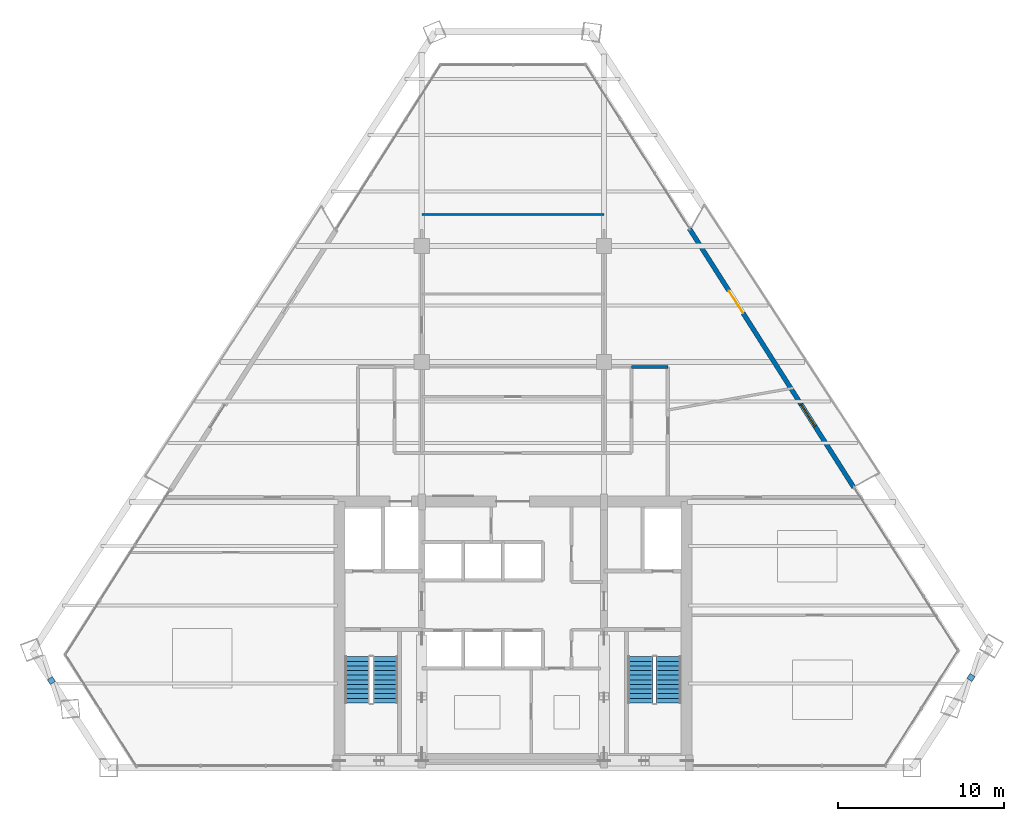
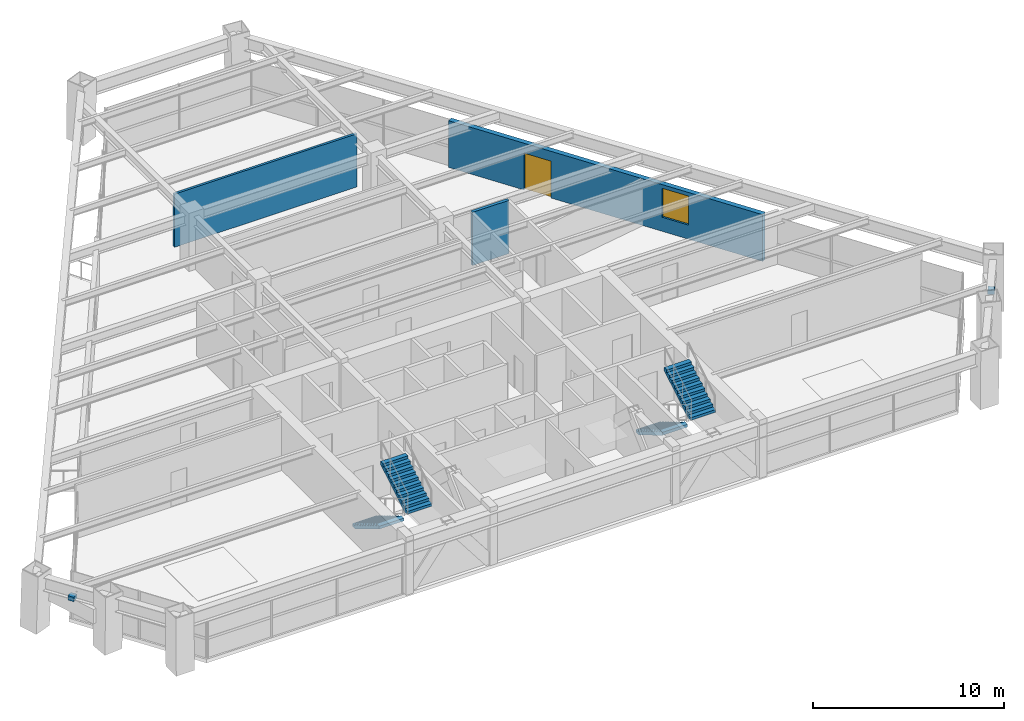
# One storey, part 13 of 15: 4 stair flights, 3 walls, 2 discrete accessories, 1 door, 1 window, 2 openings, 2 elements without a shape of their own.
"""IFC4 building model written with IfcOpenShell, lengths in metres."""

from ifc_helpers import new_model, si_unit, direction, frame, frame_2d, origin, origin_2d, place, context, subcontext, project, spatial, polyline, rectangle, outline, extrude, source, transform, mapped, material, layer, layer_set, type_object, type_shapes, element, fill, aggregate, save


model = new_model("IFC4")

# Units and contexts
model_context = context("Model", 3, precision=1e-05, world=origin(), true_north=direction((0.0, 1.0)))
body_context = subcontext(model_context, "Body", "Model", "MODEL_VIEW")
ifc_project = project(units=[si_unit("LENGTHUNIT", "METRE"), si_unit("AREAUNIT", "SQUARE_METRE"), si_unit("VOLUMEUNIT", "CUBIC_METRE"), si_unit("PLANEANGLEUNIT", "RADIAN"), si_unit("MASSUNIT", "GRAM", prefix="KILO")], contexts=[model_context])

# Site, building, storey
site_placement = place(None, origin())
site = spatial("IfcSite", under=ifc_project, at=site_placement, CompositionType="ELEMENT")
building_placement = place(site_placement, origin())
building = spatial("IfcBuilding", under=site, at=building_placement, Name="Varnakhor Terracotta Tower", CompositionType="ELEMENT")
storey_placement = place(building_placement, frame((0.0, 0.0, 162.60009765625)))
storey = spatial("IfcBuildingStorey", under=building, at=storey_placement, Name="L41", CompositionType="ELEMENT", Elevation=162.60009765625)

# Wall
ifc_material_1 = material(Name="Fire-Rated Gypsum Stud Partition", Category="gypsum")
ifc_layer_1 = layer(ifc_material_1, 0.18505859375, Name="Fire-Rated Gypsum Stud Partition")
ifc_layer_set_1 = layer_set([ifc_layer_1], Name="Fire-Rated Gypsum Stud Partition")
wall_type_1 = type_object("IfcWallType", Name="WAL-CORR-185", PredefinedType="PARTITIONING", material=ifc_layer_set_1)
wall_1_placement = place(storey_placement, frame((7.14990234375, 24.199951171875, 0.0), z_axis=(0.0, 0.0, 1.0), x_axis=(1.0, 0.0, 0.0)))
element("IfcWall", 1, at=wall_1_placement, inside=storey, type_object=wall_type_1, Name="L41 East Gallery North End", PredefinedType="PARTITIONING", context=body_context, shape_type="SweptSolid", body=[
    extrude(rectangle(XDim=2.2001953125, YDim=0.18505859375, at=frame_2d((1.10009765625, 0.0))), origin(), (0.0, 0.0, 1.0), 3.391845703125),
])

# Wall, openings, door, window
ifc_material_2 = material(Name="Extruded Architectural Terracotta Assembly", Category="masonry")
ifc_layer_2 = layer(ifc_material_2, 0.280029296875, Name="Extruded Architectural Terracotta Assembly")
ifc_layer_set_2 = layer_set([ifc_layer_2], Name="Extruded Architectural Terracotta Assembly")
wall_type_2 = type_object("IfcWallType", Name="WAL-EXT-TERRACOTTA-280", PredefinedType="SOLIDWALL", material=ifc_layer_set_2)
wall_2_placement = place(storey_placement, frame((10.65771484375, 32.54931640625, 0.0), z_axis=(0.0, 0.0, 1.0), x_axis=(0.536276914683, -0.844042102491, 0.0)))
wall_2 = element("IfcWall", 2, at=wall_2_placement, inside=storey, type_object=wall_type_2, Name="L41 E Loggia Insulated Terracotta Wall", PredefinedType="SOLIDWALL", context=body_context, shape_type="SweptSolid", body=[
    extrude(rectangle(XDim=18.504638671875, YDim=0.280029296875, at=frame_2d((9.25244140625, 0.0))), origin(), (0.0, 0.0, 1.0), 2.97998046875),
])
opening_1_placement = place(wall_2_placement, frame((4.441162109375, 0.0, 0.0)))
opening_1 = element("IfcOpeningElement", 3, at=opening_1_placement, cuts=wall_2, Name="Opening DR-62", PredefinedType="OPENING", context=body_context, shape_type="SweptSolid", body=[
    extrude(rectangle(XDim=1.60009765625, YDim=2.35009765625, at=frame_2d((0.800048828125, 1.175048828125))), frame((0.0, 0.14990234375, 0.0), z_axis=(0.0, -1.0, 0.0), x_axis=(1.0, 0.0, 0.0)), (0.0, 0.0, 1.0), 0.300048828125),
])
opening_2_placement = place(wall_2_placement, frame((12.5830078125, 0.0, 0.89990234375)))
opening_2 = element("IfcOpeningElement", 4, at=opening_2_placement, cuts=wall_2, Name="Opening WN-57", PredefinedType="OPENING", context=body_context, shape_type="SweptSolid", body=[
    extrude(rectangle(XDim=1.550048828125, YDim=1.85009765625, at=frame_2d((0.77490234375, 0.925048828125))), frame((0.0, 0.14990234375, 0.0), z_axis=(0.0, -1.0, 0.0), x_axis=(1.0, 0.0, 0.0)), (0.0, 0.0, 1.0), 0.300048828125),
])
ifc_material_3 = material(Name="Thermally Broken Sliding Glass Loggia Door", Category="glass")
door_type = type_object("IfcDoorType", Name="DR-EXT-LOGGIA-1600X2350", OperationType="NOTDEFINED", PredefinedType="DOOR", material=ifc_material_3)
shared_shape_1 = source(origin(), body_context, "Body", "SweptSolid", [
    extrude(rectangle(XDim=1.60009765625, YDim=2.35009765625, at=frame_2d((0.800048828125, 1.175048828125))), frame((0.0, 0.02490234375, 0.0), z_axis=(0.0, -1.0, 0.0), x_axis=(1.0, 0.0, 0.0)), (0.0, 0.0, 1.0), 0.050048828125),
])
type_shapes(door_type, [shared_shape_1])
door_placement = place(opening_1_placement, origin())
door = element("IfcDoor", 5, at=door_placement, inside=storey, type_object=door_type, Name="L41 E Recessed Loggia Sliding Door", OperationType="SLIDING_TO_RIGHT", OverallHeight=2.35009765625, OverallWidth=1.60009765625, PredefinedType="DOOR", context=body_context, shape_type="MappedRepresentation", body=[
    mapped(shared_shape_1, transform((0.0, 0.0, 0.0), scale=1.0)),
])
fill(opening_1, door)
ifc_material_4 = material(Name="Solar-Control Low-E Insulated Glass Unit", Category="glass")
window_type = type_object("IfcWindowType", Name="WIN-OFF-1650X2100", PartitioningType="SINGLE_PANEL", PredefinedType="WINDOW", material=ifc_material_4)
shared_shape_2 = source(origin(), body_context, "Body", "SweptSolid", [
    extrude(rectangle(XDim=1.550048828125, YDim=1.85009765625, at=frame_2d((0.77490234375, 0.925048828125))), frame((0.0, 0.030029296875, 0.0), z_axis=(0.0, -1.0, 0.0), x_axis=(1.0, 0.0, 0.0)), (0.0, 0.0, 1.0), 0.06005859375),
])
type_shapes(window_type, [shared_shape_2])
window_placement = place(opening_2_placement, origin())
window = element("IfcWindow", 6, at=window_placement, inside=storey, type_object=window_type, Name="L41 E Facet Punched Window", OverallHeight=1.85009765625, OverallWidth=1.550048828125, PartitioningType="SINGLE_PANEL", PredefinedType="WINDOW", context=body_context, shape_type="MappedRepresentation", body=[
    mapped(shared_shape_2, transform((0.0, 0.0, 0.0), scale=1.0)),
])
fill(opening_2, window)

# Wall
ifc_material_5 = material(Name="Acoustic Metal-Stud Partition", Category="gypsum")
ifc_layer_3 = layer(ifc_material_5, 0.139892578125, Name="Acoustic Metal-Stud Partition")
ifc_layer_set_3 = layer_set([ifc_layer_3], Name="Acoustic Metal-Stud Partition")
wall_type_3 = type_object("IfcWallType", Name="WAL-PART-140", PredefinedType="PARTITIONING", material=ifc_layer_set_3)
wall_3_placement = place(storey_placement, frame((-5.5, 33.39990234375, 0.0), z_axis=(0.0, 0.0, 1.0), x_axis=(1.0, 0.0, 0.0)))
element("IfcWall", 7, at=wall_3_placement, inside=storey, type_object=wall_type_3, Name="L41 Center Cross Cut 3", PredefinedType="PARTITIONING", context=body_context, shape_type="SweptSolid", body=[
    extrude(rectangle(XDim=11.0, YDim=0.139892578125, at=frame_2d((5.5, 0.0))), origin(), (0.0, 0.0, 1.0), 3.391845703125),
])

# Stair, stair flights
ifc_material_6 = material(Name="Concrete C40/50", Category="concrete")
stair_type = type_object("IfcStairType", Name="STR-CORE-OFFICE-1500", PredefinedType="HALF_TURN_STAIR", material=ifc_material_6)
stair_1_placement = place(storey_placement, origin())
stair_1 = element("IfcStair", 8, at=stair_1_placement, inside=storey, type_object=stair_type, Name="L41 Core Exit Stair ST-1", PredefinedType="HALF_TURN_STAIR")
stair_flight_type = type_object("IfcStairFlightType", Name="FLT-CORE-1500", PredefinedType="STRAIGHT", material=ifc_material_6)
stair_flight_1_placement = place(storey_placement, frame((-9.39990234375, 6.7099609375, 0.0), z_axis=(0.0, 0.0, 1.0), x_axis=(0.0, -1.0, 0.0)))
stair_flight_1 = element("IfcStairFlight", 9, at=stair_flight_1_placement, type_object=stair_flight_type, Name="ST-1 flight 1", NumberOfRisers=11, NumberOfTreads=10, PredefinedType="STRAIGHT", RiserHeight=0.168181818, TreadLength=0.28, context=body_context, shape_type="SweptSolid", body=[
    extrude(outline(polyline([(0.0, 0.0), (0.0, 0.168212890625), (0.280029296875, 0.168212890625), (0.280029296875, 0.33642578125), (0.56005859375, 0.33642578125), (0.56005859375, 0.504638671875), (0.840087890625, 0.504638671875), (0.840087890625, 0.672607421875), (1.1201171875, 0.672607421875), (1.1201171875, 0.8408203125), (1.39990234375, 0.8408203125), (1.39990234375, 1.009033203125), (1.679931640625, 1.009033203125), (1.679931640625, 1.17724609375), (1.9599609375, 1.17724609375), (1.9599609375, 1.345458984375), (2.239990234375, 1.345458984375), (2.239990234375, 1.513671875), (2.52001953125, 1.513671875), (2.52001953125, 1.681884765625), (2.800048828125, 1.681884765625), (2.800048828125, 1.85009765625), (2.800048828125, 1.495361328125), (0.310546875, 0.0), (0.0, 0.0)])), frame((0.0, 0.75, 0.0), z_axis=(0.0, -1.0, 0.0), x_axis=(1.0, 0.0, 0.0)), (0.0, 0.0, 1.0), 1.5),
])
stair_flight_2_placement = place(storey_placement, frame((-7.699951171875, 3.909912109375, 1.849853515625), z_axis=(0.0, 0.0, 1.0), x_axis=(0.0, 1.0, 0.0)))
stair_flight_2 = element("IfcStairFlight", 10, at=stair_flight_2_placement, type_object=stair_flight_type, Name="ST-1 flight 2", NumberOfRisers=11, NumberOfTreads=10, PredefinedType="STRAIGHT", RiserHeight=0.168181818, TreadLength=0.28, context=body_context, shape_type="SweptSolid", body=[
    extrude(outline(polyline([(0.0, 0.0), (0.0, 0.168212890625), (0.280029296875, 0.168212890625), (0.280029296875, 0.33642578125), (0.56005859375, 0.33642578125), (0.56005859375, 0.504638671875), (0.840087890625, 0.504638671875), (0.840087890625, 0.672607421875), (1.1201171875, 0.672607421875), (1.1201171875, 0.8408203125), (1.39990234375, 0.8408203125), (1.39990234375, 1.009033203125), (1.679931640625, 1.009033203125), (1.679931640625, 1.17724609375), (1.9599609375, 1.17724609375), (1.9599609375, 1.345458984375), (2.239990234375, 1.345458984375), (2.239990234375, 1.513671875), (2.52001953125, 1.513671875), (2.52001953125, 1.681884765625), (2.800048828125, 1.681884765625), (2.800048828125, 1.85009765625), (2.800048828125, 1.495361328125), (0.310546875, 0.0), (0.0, 0.0)])), frame((0.0, 0.75, 0.0), z_axis=(0.0, -1.0, 0.0), x_axis=(1.0, 0.0, 0.0)), (0.0, 0.0, 1.0), 1.5),
])
aggregate(stair_1, [stair_flight_1, stair_flight_2])

stair_2_placement = place(storey_placement, origin())
stair_2 = element("IfcStair", 11, at=stair_2_placement, inside=storey, type_object=stair_type, Name="L41 Core Exit Stair ST-2", PredefinedType="HALF_TURN_STAIR")
stair_flight_3_placement = place(storey_placement, frame((7.699951171875, 6.7099609375, 0.0), z_axis=(0.0, 0.0, 1.0), x_axis=(0.0, -1.0, 0.0)))
stair_flight_3 = element("IfcStairFlight", 12, at=stair_flight_3_placement, type_object=stair_flight_type, Name="ST-2 flight 1", NumberOfRisers=11, NumberOfTreads=10, PredefinedType="STRAIGHT", RiserHeight=0.168181818, TreadLength=0.28, context=body_context, shape_type="SweptSolid", body=[
    extrude(outline(polyline([(0.0, 0.0), (0.0, 0.168212890625), (0.280029296875, 0.168212890625), (0.280029296875, 0.33642578125), (0.56005859375, 0.33642578125), (0.56005859375, 0.504638671875), (0.840087890625, 0.504638671875), (0.840087890625, 0.672607421875), (1.1201171875, 0.672607421875), (1.1201171875, 0.8408203125), (1.39990234375, 0.8408203125), (1.39990234375, 1.009033203125), (1.679931640625, 1.009033203125), (1.679931640625, 1.17724609375), (1.9599609375, 1.17724609375), (1.9599609375, 1.345458984375), (2.239990234375, 1.345458984375), (2.239990234375, 1.513671875), (2.52001953125, 1.513671875), (2.52001953125, 1.681884765625), (2.800048828125, 1.681884765625), (2.800048828125, 1.85009765625), (2.800048828125, 1.495361328125), (0.310546875, 0.0), (0.0, 0.0)])), frame((0.0, 0.75, 0.0), z_axis=(0.0, -1.0, 0.0), x_axis=(1.0, 0.0, 0.0)), (0.0, 0.0, 1.0), 1.5),
])
stair_flight_4_placement = place(storey_placement, frame((9.39990234375, 3.909912109375, 1.849853515625), z_axis=(0.0, 0.0, 1.0), x_axis=(0.0, 1.0, 0.0)))
stair_flight_4 = element("IfcStairFlight", 13, at=stair_flight_4_placement, type_object=stair_flight_type, Name="ST-2 flight 2", NumberOfRisers=11, NumberOfTreads=10, PredefinedType="STRAIGHT", RiserHeight=0.168181818, TreadLength=0.28, context=body_context, shape_type="SweptSolid", body=[
    extrude(outline(polyline([(0.0, 0.0), (0.0, 0.168212890625), (0.280029296875, 0.168212890625), (0.280029296875, 0.33642578125), (0.56005859375, 0.33642578125), (0.56005859375, 0.504638671875), (0.840087890625, 0.504638671875), (0.840087890625, 0.672607421875), (1.1201171875, 0.672607421875), (1.1201171875, 0.8408203125), (1.39990234375, 0.8408203125), (1.39990234375, 1.009033203125), (1.679931640625, 1.009033203125), (1.679931640625, 1.17724609375), (1.9599609375, 1.17724609375), (1.9599609375, 1.345458984375), (2.239990234375, 1.345458984375), (2.239990234375, 1.513671875), (2.52001953125, 1.513671875), (2.52001953125, 1.681884765625), (2.800048828125, 1.681884765625), (2.800048828125, 1.85009765625), (2.800048828125, 1.495361328125), (0.310546875, 0.0), (0.0, 0.0)])), frame((0.0, 0.75, 0.0), z_axis=(0.0, -1.0, 0.0), x_axis=(1.0, 0.0, 0.0)), (0.0, 0.0, 1.0), 1.5),
])
aggregate(stair_2, [stair_flight_3, stair_flight_4])

# Discrete accessories
ifc_material_7 = material(Name="Stainless Steel Fixing Bracket", Category="steel")
discrete_accessory_type = type_object("IfcDiscreteAccessoryType", Name="BRACKET-TERRACOTTA-SCREEN", PredefinedType="BRACKET", material=ifc_material_7)
shared_shape_3 = source(origin(), body_context, "Body", "SweptSolid", [
    extrude(rectangle(XDim=0.35009765625, YDim=0.35009765625, at=origin_2d()), origin(), (0.0, 0.0, 1.0), 0.280029296875),
])
type_shapes(discrete_accessory_type, [shared_shape_3])
for number, where, z_axis, x_axis, name in (
    (14, (27.657470703125, 5.447021484375, 2.4150390625), (0.0, 0.0, 1.0), (0.544975655067, 0.838451868257, 0.0), "L41 E Screen Fixing Bracket"),
    (15, (-27.864501953125, 5.26220703125, 2.4150390625), (0.0, 0.0, 1.0), (0.54575101032, -0.837947393775, 0.0), "L41 W Screen Fixing Bracket"),
):
    element("IfcDiscreteAccessory", number, at=place(storey_placement, frame(where, z_axis=z_axis, x_axis=x_axis)), inside=storey, type_object=discrete_accessory_type, Name=name, PredefinedType="BRACKET", context=body_context, shape_type="MappedRepresentation", body=[
        mapped(shared_shape_3, transform((0.0, 0.0, 0.0), scale=1.0)),
    ])

save(model, "model.ifc")
